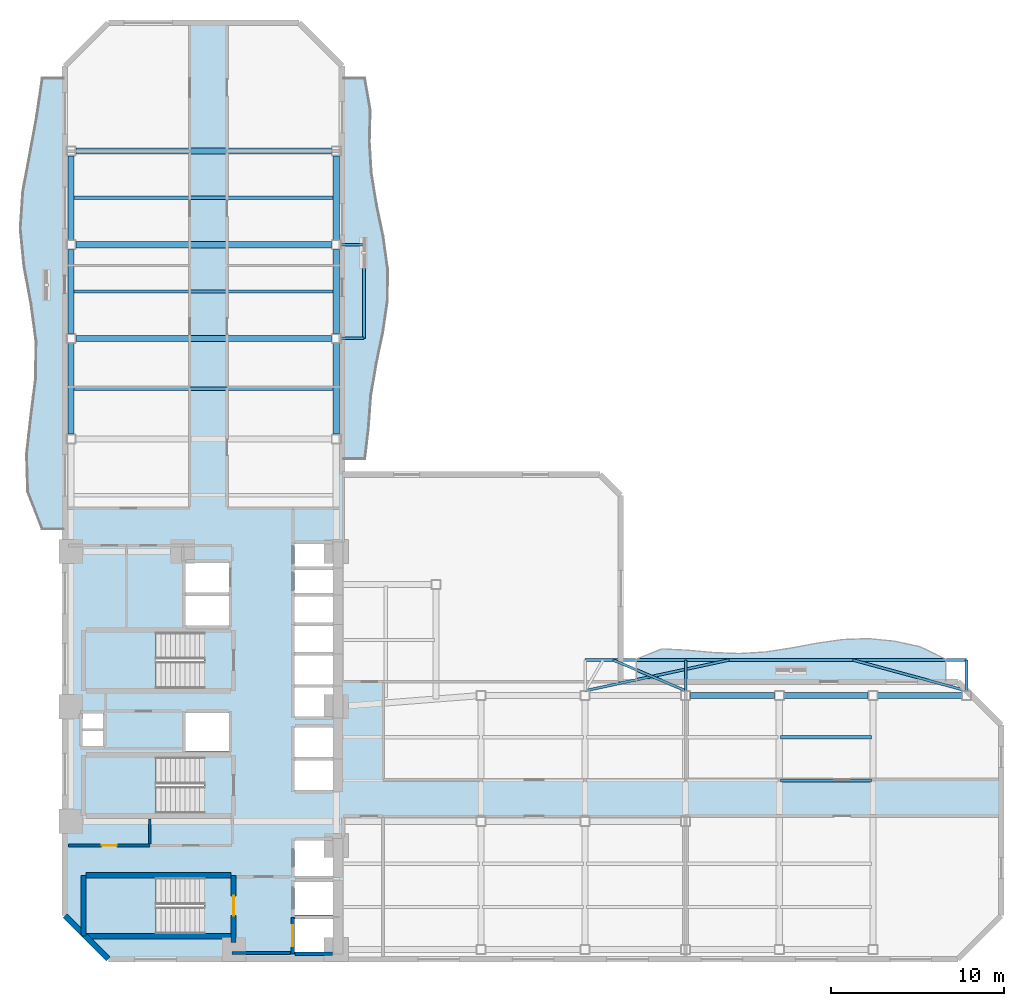
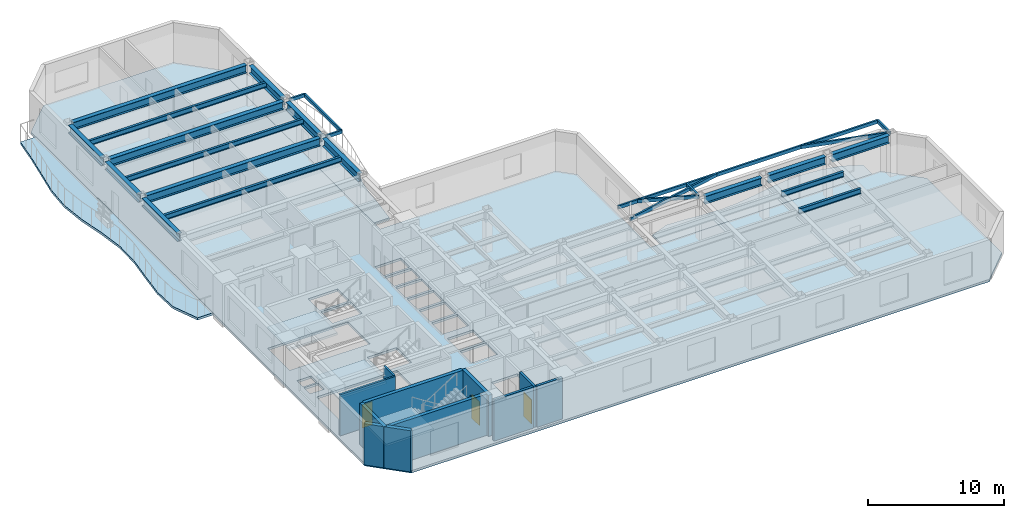
# One storey, part 2 of 10: 26 beams, 10 walls, 7 slabs, 3 doors, 3 openings, 3 elements without a shape of their own.
"""IFC4 building model written with IfcOpenShell, lengths in metres."""

from ifc_helpers import new_model, si_unit, direction, frame, frame_2d, origin, origin_2d, place, context, subcontext, project, spatial, polyline, rectangle, hollow_rectangle, i_section, outline, extrude, material, layer, layer_set, material_profile, profile_set, type_object, element, fill, aggregate, save


model = new_model("IFC4")

# Units and contexts
model_context = context("Model", 3, precision=1e-05, world=origin(), true_north=direction((0.0, 1.0)))
body_context = subcontext(model_context, "Body", "Model", "MODEL_VIEW")
ifc_project = project(units=[si_unit("LENGTHUNIT", "METRE"), si_unit("AREAUNIT", "SQUARE_METRE"), si_unit("VOLUMEUNIT", "CUBIC_METRE"), si_unit("PLANEANGLEUNIT", "RADIAN"), si_unit("MASSUNIT", "GRAM", prefix="KILO")], contexts=[model_context])

# Site, building, storey
site_placement = place(None, origin())
site = spatial("IfcSite", under=ifc_project, at=site_placement, CompositionType="ELEMENT")
building_placement = place(site_placement, origin())
building = spatial("IfcBuilding", under=site, at=building_placement, Name="Mawjaban Terraces University", CompositionType="ELEMENT")
storey_placement = place(building_placement, frame((0.0, 0.0, 46.60009765625)))
storey = spatial("IfcBuildingStorey", under=building, at=storey_placement, Name="L10", CompositionType="ELEMENT", Elevation=46.60009765625)

# Beams
ifc_material_1 = material(Name="Steel EN 10210-1 S355J2H", Category="steel")
ifc_material_profile_1 = material_profile(ifc_material_1, hollow_rectangle(XDim=0.14990234375, YDim=0.300048828125, WallThickness=0.012451171875, at=origin_2d()), Name="RHS300X150X12.5")
ifc_profile_set_1 = profile_set([ifc_material_profile_1], Name="Steel EN 10210-1 S355J2H")
beam_type_1 = type_object("IfcBeamType", Name="BalconyCantileverSpandrel_RHS", PredefinedType="SPANDREL", material=ifc_profile_set_1)
beam_1_placement = place(storey_placement, frame((74.0, 15.47509765625, 3.539794921875), z_axis=(0.0, 1.0, 0.0), x_axis=(-1.0, 0.0, 0.0)))
element("IfcBeam", 1, at=beam_1_placement, inside=storey, type_object=beam_type_1, Name="L10 Exterior Outrigger BAL-L11-N.2", PredefinedType="SPANDREL", context=body_context, shape_type="SweptSolid", body=[
    extrude(hollow_rectangle(XDim=0.14990234375, YDim=0.300048828125, WallThickness=0.012451171875, at=origin_2d()), origin(), (0.0, 0.0, 1.0), 1.77490234375),
])
beam_2_placement = place(storey_placement, frame((52.0, 17.25, 3.539794921875), z_axis=(1.0, 0.0, 0.0), x_axis=(0.0, 1.0, 0.0)))
element("IfcBeam", 2, at=beam_2_placement, inside=storey, type_object=beam_type_1, Name="L10 Exterior Edge Spandrel BAL-L11-N", PredefinedType="SPANDREL", context=body_context, shape_type="SweptSolid", body=[
    extrude(hollow_rectangle(XDim=0.14990234375, YDim=0.300048828125, WallThickness=0.012451171875, at=origin_2d()), origin(), (0.0, 0.0, 1.0), 22.0),
])
beam_3_placement = place(storey_placement, frame((52.0, 15.47509765625, 3.539794921875), z_axis=(0.977916279172, 0.208997011776, 0.0), x_axis=(-0.208997011776, 0.977916279172, 0.0)))
element("IfcBeam", 3, at=beam_3_placement, inside=storey, type_object=beam_type_1, Name="L10 Exterior Diagonal Strut BAL-L11-N.1", PredefinedType="SPANDREL", context=body_context, shape_type="SweptSolid", body=[
    extrude(hollow_rectangle(XDim=0.14990234375, YDim=0.300048828125, WallThickness=0.012451171875, at=origin_2d()), origin(), (0.0, 0.0, 1.0), 8.492431640625),
])
beam_4_placement = place(storey_placement, frame((74.0, 15.47509765625, 3.539794921875), z_axis=(-0.965240922253, 0.261361745494, 0.0), x_axis=(-0.261361745494, -0.965240922253, 0.0)))
element("IfcBeam", 4, at=beam_4_placement, inside=storey, type_object=beam_type_1, Name="L10 Exterior Diagonal Strut BAL-L11-N.2", PredefinedType="SPANDREL", context=body_context, shape_type="SweptSolid", body=[
    extrude(hollow_rectangle(XDim=0.14990234375, YDim=0.300048828125, WallThickness=0.012451171875, at=origin_2d()), origin(), (0.0, 0.0, 1.0), 6.791015625),
])
for number, where, z_axis, x_axis, name in (
    (5, (37.925048828125, 35.800048828125, 3.539794921875), (1.0, 0.0, 0.0), (0.0, 1.0, 0.0), "L10 Exterior Outrigger BAL-L11-E.1"),
    (6, (37.925048828125, 41.199951171875, 3.539794921875), (1.0, 0.0, 0.0), (0.0, 1.0, 0.0), "L10 Exterior Outrigger BAL-L11-E.2"),
):
    element("IfcBeam", number, at=place(storey_placement, frame(where, z_axis=z_axis, x_axis=x_axis)), inside=storey, type_object=beam_type_1, Name=name, PredefinedType="SPANDREL", context=body_context, shape_type="SweptSolid", body=[
        extrude(hollow_rectangle(XDim=0.14990234375, YDim=0.300048828125, WallThickness=0.012451171875, at=origin_2d()), origin(), (0.0, 0.0, 1.0), 1.324951171875),
    ])
beam_5_placement = place(storey_placement, frame((39.25, 35.800048828125, 3.539794921875), z_axis=(0.0, 1.0, 0.0), x_axis=(-1.0, 0.0, 0.0)))
element("IfcBeam", 7, at=beam_5_placement, inside=storey, type_object=beam_type_1, Name="L10 Exterior Edge Spandrel BAL-L11-E", PredefinedType="SPANDREL", context=body_context, shape_type="SweptSolid", body=[
    extrude(hollow_rectangle(XDim=0.14990234375, YDim=0.300048828125, WallThickness=0.012451171875, at=origin_2d()), origin(), (0.0, 0.0, 1.0), 5.39990234375),
])
beam_6_placement = place(storey_placement, frame((57.800048828125, 15.47509765625, 3.539794921875), z_axis=(0.0, 1.0, 0.0), x_axis=(-1.0, 0.0, 0.0)))
element("IfcBeam", 8, at=beam_6_placement, inside=storey, type_object=beam_type_1, Name="L10 Exterior Outrigger TER-L11-CLIMB.2", PredefinedType="SPANDREL", context=body_context, shape_type="SweptSolid", body=[
    extrude(hollow_rectangle(XDim=0.14990234375, YDim=0.300048828125, WallThickness=0.012451171875, at=origin_2d()), origin(), (0.0, 0.0, 1.0), 1.77490234375),
])
beam_7_placement = place(storey_placement, frame((57.800048828125, 15.47509765625, 3.539794921875), z_axis=(-0.920627415199, 0.390442265109, 0.0), x_axis=(-0.390442265109, -0.920627415199, 0.0)))
element("IfcBeam", 9, at=beam_7_placement, inside=storey, type_object=beam_type_1, Name="L10 Exterior Diagonal Strut TER-L11-CLIMB.2", PredefinedType="SPANDREL", context=body_context, shape_type="SweptSolid", body=[
    extrude(hollow_rectangle(XDim=0.14990234375, YDim=0.300048828125, WallThickness=0.012451171875, at=origin_2d()), origin(), (0.0, 0.0, 1.0), 4.5458984375),
])
ifc_material_2 = material(Name="Steel ASTM A572 Grade 50", Category="steel")
ifc_material_profile_2 = material_profile(ifc_material_2, i_section(OverallWidth=0.35498046875, OverallDepth=0.695068359375, WebThickness=0.015380859375, FlangeThickness=0.02490234375, at=origin_2d()), Name="W690X217")
ifc_profile_set_2 = profile_set([ifc_material_profile_2], Name="Steel ASTM A572 Grade 50")
beam_type_2 = type_object("IfcBeamType", Name="Beam_B_W690X217", PredefinedType="BEAM", material=ifc_profile_set_2)
beam_8_placement = place(storey_placement, frame((58.074951171875, 15.199951171875, 3.343017578125), z_axis=(1.0, 0.0, 0.0), x_axis=(0.0, 1.0, 0.0)))
element("IfcBeam", 10, at=beam_8_placement, inside=storey, type_object=beam_type_2, Name="L10 Beam BM-L10-EW-11", PredefinedType="BEAM", context=body_context, shape_type="SweptSolid", body=[
    extrude(i_section(OverallWidth=0.35498046875, OverallDepth=0.695068359375, WebThickness=0.015380859375, FlangeThickness=0.02490234375, at=origin_2d()), origin(), (0.0, 0.0, 1.0), 4.85009765625),
])
beam_9_placement = place(storey_placement, frame((63.47509765625, 15.199951171875, 3.343017578125), z_axis=(1.0, 0.0, 0.0), x_axis=(0.0, 1.0, 0.0)))
element("IfcBeam", 11, at=beam_9_placement, inside=storey, type_object=beam_type_2, Name="L10 Beam BM-L10-EW-12", PredefinedType="BEAM", context=body_context, shape_type="SweptSolid", body=[
    extrude(i_section(OverallWidth=0.35498046875, OverallDepth=0.695068359375, WebThickness=0.015380859375, FlangeThickness=0.02490234375, at=origin_2d()), origin(), (0.0, 0.0, 1.0), 4.849853515625),
])
beam_10_placement = place(storey_placement, frame((68.875, 15.199951171875, 3.343017578125), z_axis=(1.0, 0.0, 0.0), x_axis=(0.0, 1.0, 0.0)))
element("IfcBeam", 12, at=beam_10_placement, inside=storey, type_object=beam_type_2, Name="L10 Beam BM-L10-EW-13", PredefinedType="BEAM", context=body_context, shape_type="SweptSolid", body=[
    extrude(i_section(OverallWidth=0.35498046875, OverallDepth=0.695068359375, WebThickness=0.015380859375, FlangeThickness=0.02490234375, at=origin_2d()), origin(), (0.0, 0.0, 1.0), 4.85009765625),
])
for number, where, z_axis, x_axis, name in (
    (13, (22.625, 35.800048828125, 3.343017578125), (1.0, 0.0, 0.0), (0.0, 1.0, 0.0), "L10 Beam BM-L10-EW-16"),
    (14, (22.625, 41.199951171875, 3.343017578125), (1.0, 0.0, 0.0), (0.0, 1.0, 0.0), "L10 Beam BM-L10-EW-17"),
    (15, (22.625, 46.60009765625, 3.343017578125), (1.0, 0.0, 0.0), (0.0, 1.0, 0.0), "L10 Beam BM-L10-EW-18"),
):
    element("IfcBeam", number, at=place(storey_placement, frame(where, z_axis=z_axis, x_axis=x_axis)), inside=storey, type_object=beam_type_2, Name=name, PredefinedType="BEAM", context=body_context, shape_type="SweptSolid", body=[
        extrude(i_section(OverallWidth=0.35498046875, OverallDepth=0.695068359375, WebThickness=0.015380859375, FlangeThickness=0.02490234375, at=origin_2d()), origin(), (0.0, 0.0, 1.0), 14.75),
    ])
beam_11_placement = place(storey_placement, frame((22.35009765625, 30.27490234375, 3.343017578125), z_axis=(0.0, 1.0, 0.0), x_axis=(-1.0, 0.0, 0.0)))
element("IfcBeam", 16, at=beam_11_placement, inside=storey, type_object=beam_type_2, Name="L10 Beam BM-L10-NS-04", PredefinedType="BEAM", context=body_context, shape_type="SweptSolid", body=[
    extrude(i_section(OverallWidth=0.35498046875, OverallDepth=0.695068359375, WebThickness=0.015380859375, FlangeThickness=0.02490234375, at=origin_2d()), origin(), (0.0, 0.0, 1.0), 5.25),
])
beam_12_placement = place(storey_placement, frame((22.35009765625, 36.074951171875, 3.343017578125), z_axis=(0.0, 1.0, 0.0), x_axis=(-1.0, 0.0, 0.0)))
element("IfcBeam", 17, at=beam_12_placement, inside=storey, type_object=beam_type_2, Name="L10 Beam BM-L10-NS-05", PredefinedType="BEAM", context=body_context, shape_type="SweptSolid", body=[
    extrude(i_section(OverallWidth=0.35498046875, OverallDepth=0.695068359375, WebThickness=0.015380859375, FlangeThickness=0.02490234375, at=origin_2d()), origin(), (0.0, 0.0, 1.0), 4.85009765625),
])
beam_13_placement = place(storey_placement, frame((22.35009765625, 41.47509765625, 3.343017578125), z_axis=(0.0, 1.0, 0.0), x_axis=(-1.0, 0.0, 0.0)))
element("IfcBeam", 18, at=beam_13_placement, inside=storey, type_object=beam_type_2, Name="L10 Beam BM-L10-NS-06", PredefinedType="BEAM", context=body_context, shape_type="SweptSolid", body=[
    extrude(i_section(OverallWidth=0.35498046875, OverallDepth=0.695068359375, WebThickness=0.015380859375, FlangeThickness=0.02490234375, at=origin_2d()), origin(), (0.0, 0.0, 1.0), 4.849853515625),
])
beam_14_placement = place(storey_placement, frame((37.64990234375, 30.27490234375, 3.343017578125), z_axis=(0.0, 1.0, 0.0), x_axis=(-1.0, 0.0, 0.0)))
element("IfcBeam", 19, at=beam_14_placement, inside=storey, type_object=beam_type_2, Name="L10 Beam BM-L10-NS-11", PredefinedType="BEAM", context=body_context, shape_type="SweptSolid", body=[
    extrude(i_section(OverallWidth=0.35498046875, OverallDepth=0.695068359375, WebThickness=0.015380859375, FlangeThickness=0.02490234375, at=origin_2d()), origin(), (0.0, 0.0, 1.0), 5.25),
])
beam_15_placement = place(storey_placement, frame((37.64990234375, 36.074951171875, 3.343017578125), z_axis=(0.0, 1.0, 0.0), x_axis=(-1.0, 0.0, 0.0)))
element("IfcBeam", 20, at=beam_15_placement, inside=storey, type_object=beam_type_2, Name="L10 Beam BM-L10-NS-12", PredefinedType="BEAM", context=body_context, shape_type="SweptSolid", body=[
    extrude(i_section(OverallWidth=0.35498046875, OverallDepth=0.695068359375, WebThickness=0.015380859375, FlangeThickness=0.02490234375, at=origin_2d()), origin(), (0.0, 0.0, 1.0), 4.85009765625),
])
beam_16_placement = place(storey_placement, frame((37.64990234375, 41.47509765625, 3.343017578125), z_axis=(0.0, 1.0, 0.0), x_axis=(-1.0, 0.0, 0.0)))
element("IfcBeam", 21, at=beam_16_placement, inside=storey, type_object=beam_type_2, Name="L10 Beam BM-L10-NS-13", PredefinedType="BEAM", context=body_context, shape_type="SweptSolid", body=[
    extrude(i_section(OverallWidth=0.35498046875, OverallDepth=0.695068359375, WebThickness=0.015380859375, FlangeThickness=0.02490234375, at=origin_2d()), origin(), (0.0, 0.0, 1.0), 4.849853515625),
])
ifc_material_profile_3 = material_profile(ifc_material_2, i_section(OverallWidth=0.19189453125, OverallDepth=0.462890625, WebThickness=0.010498046875, FlangeThickness=0.017578125, at=origin_2d()), Name="W460X89")
ifc_profile_set_3 = profile_set([ifc_material_profile_3], Name="Steel ASTM A572 Grade 50")
beam_type_3 = type_object("IfcBeamType", Name="Beam_J_W460X89", PredefinedType="JOIST", material=ifc_profile_set_3)
for number, where, z_axis, x_axis, name in (
    (22, (63.280029296875, 10.300048828125, 3.458984375), (1.0, 0.0, 0.0), (0.0, 1.0, 0.0), "L10 Composite Joist JST-L10-15"),
    (23, (63.280029296875, 12.800048828125, 3.458984375), (1.0, 0.0, 0.0), (0.0, 1.0, 0.0), "L10 Composite Joist JST-L10-20"),
):
    element("IfcBeam", number, at=place(storey_placement, frame(where, z_axis=z_axis, x_axis=x_axis)), inside=storey, type_object=beam_type_3, Name=name, PredefinedType="JOIST", context=body_context, shape_type="SweptSolid", body=[
        extrude(i_section(OverallWidth=0.19189453125, OverallDepth=0.462890625, WebThickness=0.010498046875, FlangeThickness=0.017578125, at=origin_2d()), origin(), (0.0, 0.0, 1.0), 5.239990234375),
    ])
for number, where, z_axis, x_axis, name in (
    (24, (22.429931640625, 32.89990234375, 3.458984375), (1.0, 0.0, 0.0), (0.0, 1.0, 0.0), "L10 Composite Joist JST-L10-23"),
    (25, (22.429931640625, 38.5, 3.458984375), (1.0, 0.0, 0.0), (0.0, 1.0, 0.0), "L10 Composite Joist JST-L10-24"),
    (26, (22.429931640625, 43.89990234375, 3.458984375), (1.0, 0.0, 0.0), (0.0, 1.0, 0.0), "L10 Composite Joist JST-L10-25"),
):
    element("IfcBeam", number, at=place(storey_placement, frame(where, z_axis=z_axis, x_axis=x_axis)), inside=storey, type_object=beam_type_3, Name=name, PredefinedType="JOIST", context=body_context, shape_type="SweptSolid", body=[
        extrude(i_section(OverallWidth=0.19189453125, OverallDepth=0.462890625, WebThickness=0.010498046875, FlangeThickness=0.017578125, at=origin_2d()), origin(), (0.0, 0.0, 1.0), 15.14013671875),
    ])

# Slabs
ifc_material_3 = material(Name="Concrete C40/50", Category="concrete")
ifc_layer_1 = layer(ifc_material_3, 0.2099609375)
ifc_layer_set_1 = layer_set([ifc_layer_1], Name="Concrete C40/50")
slab_type_1 = type_object("IfcSlabType", Name="BalconySlab_210_Ext", PredefinedType="FLOOR", material=ifc_layer_set_1)
slab_1_placement = place(storey_placement, frame((0.0, 0.0, -0.210205078125)))
element("IfcSlab", 27, at=slab_1_placement, inside=storey, type_object=slab_type_1, Name="L10 Planted Balcony Slab west", PredefinedType="FLOOR", context=body_context, shape_type="SweptSolid", body=[
    extrude(outline(polyline([(22.010009765625, 24.800048828125), (22.010009765625, 50.800048828125), (20.699951171875, 50.800048828125), (20.382080078125, 48.633056640625), (19.986083984375, 46.467041015625), (19.580078125, 44.300048828125), (19.43310546875, 42.133056640625), (19.64501953125, 39.967041015625), (20.050048828125, 37.800048828125), (20.340087890625, 35.633056640625), (20.31494140625, 33.467041015625), (20.0400390625, 31.300048828125), (19.7958984375, 29.133056640625), (19.860107421875, 26.967041015625), (20.699951171875, 24.800048828125), (22.010009765625, 24.800048828125)])), origin(), (0.0, 0.0, 1.0), 0.210205078125),
])
slab_2_placement = place(storey_placement, frame((0.0, 0.0, -0.210205078125)))
element("IfcSlab", 28, at=slab_2_placement, inside=storey, type_object=slab_type_1, Name="L10 Planted Balcony Slab inner_north", PredefinedType="FLOOR", context=body_context, shape_type="SweptSolid", body=[
    extrude(outline(polyline([(54.949951171875, 15.989990234375), (72.800048828125, 15.989990234375), (72.800048828125, 17.300048828125), (71.31201171875, 18.014892578125), (69.824951171875, 18.3359375), (68.337890625, 18.48291015625), (66.85009765625, 18.428955078125), (65.362060546875, 18.214111328125), (63.875, 17.93603515625), (62.387939453125, 17.7109375), (60.89990234375, 17.62109375), (59.4130859375, 17.677978515625), (57.925048828125, 17.81396484375), (56.43798828125, 17.888916015625), (54.949951171875, 17.300048828125), (54.949951171875, 15.989990234375)])), origin(), (0.0, 0.0, 1.0), 0.210205078125),
])
slab_3_placement = place(storey_placement, frame((0.0, 0.0, -0.210205078125)))
element("IfcSlab", 29, at=slab_3_placement, inside=storey, type_object=slab_type_1, Name="L10 Planted Balcony Slab inner_east", PredefinedType="FLOOR", context=body_context, shape_type="SweptSolid", body=[
    extrude(outline(polyline([(39.300048828125, 28.846923828125), (39.510986328125, 30.676025390625), (39.64599609375, 32.506103515625), (39.9580078125, 34.3349609375), (40.340087890625, 36.1650390625), (40.60595703125, 37.993896484375), (40.613037109375, 39.822998046875), (40.360107421875, 41.653076171875), (39.98291015625, 43.48193359375), (39.677978515625, 45.31201171875), (39.56689453125, 47.14111328125), (39.614013671875, 48.970947265625), (39.300048828125, 50.800048828125), (37.989990234375, 50.800048828125), (37.989990234375, 28.846923828125), (39.300048828125, 28.846923828125)])), origin(), (0.0, 0.0, 1.0), 0.210205078125),
])
ifc_layer_2 = layer(ifc_material_3, 0.2099609375)
ifc_layer_set_2 = layer_set([ifc_layer_2], Name="Concrete C40/50")
slab_type_2 = type_object("IfcSlabType", Name="CompositeSlab_210", PredefinedType="FLOOR", material=ifc_layer_set_2)
slab_4_placement = place(storey_placement, frame((0.0, 0.0, -0.210205078125)))
element("IfcSlab", 30, at=slab_4_placement, inside=storey, type_object=slab_type_2, Name="L10 Primary Structural Slab", PredefinedType="FLOOR", context=body_context, shape_type="SweptSolid", body=[
    extrude(outline(polyline([(24.5, 0.0), (73.5, 0.0), (76.0, 2.5), (76.0, 13.5), (73.5, 16.0), (54.050048828125, 16.0), (54.050048828125, 26.7470703125), (52.85009765625, 27.947021484375), (38.0, 27.947021484375), (38.0, 51.5), (35.5, 54.0), (24.5, 54.0), (22.0, 51.5), (22.0, 2.5), (24.5, 0.0)]), holes=[polyline([(30.014892578125, 4.699951171875), (23.199951171875, 4.699951171875), (23.199951171875, 1.449951171875), (30.014892578125, 1.449951171875), (30.014892578125, 4.699951171875)]), polyline([(30.014892578125, 18.85009765625), (23.199951171875, 18.85009765625), (23.199951171875, 15.60009765625), (30.014892578125, 15.60009765625), (30.014892578125, 18.85009765625)]), polyline([(30.014892578125, 11.64990234375), (23.199951171875, 11.64990234375), (23.199951171875, 8.39990234375), (30.014892578125, 8.39990234375), (30.014892578125, 11.64990234375)]), polyline([(35.25, 0.39990234375), (37.449951171875, 0.39990234375), (37.449951171875, 2.300048828125), (35.25, 2.300048828125), (35.25, 0.39990234375)]), polyline([(35.25, 2.550048828125), (37.449951171875, 2.550048828125), (37.449951171875, 4.449951171875), (35.25, 4.449951171875), (35.25, 2.550048828125)]), polyline([(35.25, 4.800048828125), (37.449951171875, 4.800048828125), (37.449951171875, 6.85009765625), (35.25, 6.85009765625), (35.25, 4.800048828125)]), polyline([(35.25, 9.75), (37.449951171875, 9.75), (37.449951171875, 11.449951171875), (35.25, 11.449951171875), (35.25, 9.75)]), polyline([(35.25, 11.64990234375), (37.449951171875, 11.64990234375), (37.449951171875, 13.35009765625), (35.25, 13.35009765625), (35.25, 11.64990234375)]), polyline([(28.949951171875, 12.0), (31.449951171875, 12.0), (31.449951171875, 14.199951171875), (28.949951171875, 14.199951171875), (28.949951171875, 12.0)]), polyline([(35.25, 14.0), (37.449951171875, 14.0), (37.449951171875, 15.64990234375), (35.25, 15.64990234375), (35.25, 14.0)]), polyline([(35.25, 15.85009765625), (37.449951171875, 15.85009765625), (37.449951171875, 17.5), (35.25, 17.5), (35.25, 15.85009765625)]), polyline([(35.25, 17.699951171875), (37.449951171875, 17.699951171875), (37.449951171875, 19.199951171875), (35.25, 19.199951171875), (35.25, 17.699951171875)]), polyline([(35.25, 19.39990234375), (37.449951171875, 19.39990234375), (37.449951171875, 20.89990234375), (35.25, 20.89990234375), (35.25, 19.39990234375)]), polyline([(28.949951171875, 19.25), (31.449951171875, 19.25), (31.449951171875, 20.949951171875), (28.949951171875, 20.949951171875), (28.949951171875, 19.25)]), polyline([(35.25, 21.10009765625), (37.449951171875, 21.10009765625), (37.449951171875, 22.449951171875), (35.25, 22.449951171875), (35.25, 21.10009765625)]), polyline([(35.25, 22.64990234375), (37.449951171875, 22.64990234375), (37.449951171875, 23.949951171875), (35.25, 23.949951171875), (35.25, 22.64990234375)]), polyline([(28.949951171875, 21.14990234375), (31.449951171875, 21.14990234375), (31.449951171875, 22.85009765625), (28.949951171875, 22.85009765625), (28.949951171875, 21.14990234375)]), polyline([(23.0, 12.25), (24.199951171875, 12.25), (24.199951171875, 13.14990234375), (23.0, 13.14990234375), (23.0, 12.25)]), polyline([(23.0, 13.300048828125), (24.199951171875, 13.300048828125), (24.199951171875, 14.179931640625), (23.0, 14.179931640625), (23.0, 13.300048828125)])]), origin(), (0.0, 0.0, 1.0), 0.210205078125),
])

# Stair, slab
stair_type = type_object("IfcStairType", Name="Stair_Core1550_H39", PredefinedType="HALF_TURN_STAIR", material=ifc_material_3)
stair_1_placement = place(storey_placement, origin())
stair_1 = element("IfcStair", 31, at=stair_1_placement, inside=storey, type_object=stair_type, Name="L10 Core Exit Stair 1", PredefinedType="HALF_TURN_STAIR")
ifc_layer_3 = layer(ifc_material_3, 0.199951171875)
ifc_layer_set_3 = layer_set([ifc_layer_3], Name="Concrete C40/50")
slab_type_3 = type_object("IfcSlabType", Name="StairLandingSlab_200", PredefinedType="LANDING", material=ifc_layer_set_3)
slab_5_placement = place(storey_placement, frame((0.0, 0.0, 1.75)))
slab_5 = element("IfcSlab", 32, at=slab_5_placement, type_object=slab_type_3, Name="ST-1 landing 1", PredefinedType="LANDING", context=body_context, shape_type="SweptSolid", body=[
    extrude(outline(polyline([(27.25, 4.699951171875), (23.199951171875, 4.699951171875), (23.199951171875, 1.449951171875), (27.25, 1.449951171875), (27.25, 4.699951171875)])), origin(), (0.0, 0.0, 1.0), 0.199951171875),
])
aggregate(stair_1, [slab_5])

stair_2_placement = place(storey_placement, origin())
stair_2 = element("IfcStair", 33, at=stair_2_placement, inside=storey, type_object=stair_type, Name="L10 Core Exit Stair 2", PredefinedType="HALF_TURN_STAIR")
slab_6_placement = place(storey_placement, frame((0.0, 0.0, 1.75)))
slab_6 = element("IfcSlab", 34, at=slab_6_placement, type_object=slab_type_3, Name="ST-2 landing 1", PredefinedType="LANDING", context=body_context, shape_type="SweptSolid", body=[
    extrude(outline(polyline([(27.25, 18.85009765625), (23.199951171875, 18.85009765625), (23.199951171875, 15.60009765625), (27.25, 15.60009765625), (27.25, 18.85009765625)])), origin(), (0.0, 0.0, 1.0), 0.199951171875),
])
aggregate(stair_2, [slab_6])

stair_3_placement = place(storey_placement, origin())
stair_3 = element("IfcStair", 35, at=stair_3_placement, inside=storey, type_object=stair_type, Name="L10 Core Exit Stair 3", PredefinedType="HALF_TURN_STAIR")
slab_7_placement = place(storey_placement, frame((0.0, 0.0, 1.75)))
slab_7 = element("IfcSlab", 36, at=slab_7_placement, type_object=slab_type_3, Name="ST-3 landing 1", PredefinedType="LANDING", context=body_context, shape_type="SweptSolid", body=[
    extrude(outline(polyline([(27.25, 11.64990234375), (23.199951171875, 11.64990234375), (23.199951171875, 8.39990234375), (27.25, 8.39990234375), (27.25, 11.64990234375)])), origin(), (0.0, 0.0, 1.0), 0.199951171875),
])
aggregate(stair_3, [slab_7])

# Wall, opening, door
ifc_material_4 = material(Name="Fire-rated gypsum board on steel stud", Category="steel")
ifc_layer_4 = layer(ifc_material_4, 0.159912109375)
ifc_layer_set_4 = layer_set([ifc_layer_4], Name="Fire-rated gypsum board on steel stud")
wall_type_1 = type_object("IfcWallType", Name="CorridorPartition_160", PredefinedType="PARTITIONING", material=ifc_layer_set_4)
wall_1_placement = place(storey_placement, frame((26.89990234375, 6.550048828125, 0.0), z_axis=(0.0, 0.0, 1.0), x_axis=(-1.0, 0.0, 0.0)))
wall_1 = element("IfcWall", 37, at=wall_1_placement, inside=storey, type_object=wall_type_1, Name="L10 Core Washroom Lobby Partition 4", PredefinedType="PARTITIONING", context=body_context, shape_type="SweptSolid", body=[
    extrude(rectangle(XDim=4.699951171875, YDim=0.159912109375, at=frame_2d((2.35009765625, 0.0))), origin(), (0.0, 0.0, 1.0), 3.68994140625),
])
opening_1_placement = place(wall_1_placement, frame((1.909912109375, 0.0, 0.0)))
opening_1 = element("IfcOpeningElement", 38, at=opening_1_placement, cuts=wall_1, Name="Opening ID-088", PredefinedType="OPENING", context=body_context, shape_type="SweptSolid", body=[
    extrude(rectangle(XDim=0.8798828125, YDim=2.10009765625, at=frame_2d((0.43994140625, 1.050048828125))), frame((0.0, 0.08984375, 0.0), z_axis=(0.0, -1.0, 0.0), x_axis=(1.0, 0.0, 0.0)), (0.0, 0.0, 1.0), 0.179931640625),
])
ifc_material_5 = material(Name="Powder-coated steel frame and solid acoustic timber leaf", Category="steel")
door_type_1 = type_object("IfcDoorType", Name="ToiletDoor_880x2100", OperationType="NOTDEFINED", PredefinedType="DOOR", material=ifc_material_5)
door_1_placement = place(opening_1_placement, origin())
door_1 = element("IfcDoor", 39, at=door_1_placement, inside=storey, type_object=door_type_1, Name="L10 Male Toilet Door", OperationType="SINGLE_SWING_LEFT", OverallHeight=2.10009765625, OverallWidth=0.8798828125, PredefinedType="DOOR", context=body_context, shape_type="SweptSolid", body=[
    extrude(rectangle(XDim=0.8798828125, YDim=2.10009765625, at=frame_2d((0.43994140625, 1.050048828125))), frame((0.0, 0.02490234375, 0.0), z_axis=(0.0, -1.0, 0.0), x_axis=(1.0, 0.0, 0.0)), (0.0, 0.0, 1.0), 0.050048828125),
])
fill(opening_1, door_1)

# Wall
ifc_material_6 = material(Name="Insulated terracotta rainscreen on concrete backup C40/50", Category="masonry")
ifc_layer_5 = layer(ifc_material_6, 0.320068359375)
ifc_layer_set_5 = layer_set([ifc_layer_5], Name="Insulated terracotta rainscreen on concrete backup C40/50")
wall_type_2 = type_object("IfcWallType", Name="ExtTerracottaWall_320", PredefinedType="SOLIDWALL", material=ifc_layer_set_5)
wall_2_placement = place(storey_placement, frame((22.0, 2.5, 0.0), z_axis=(0.0, 0.0, 1.0), x_axis=(0.707106781187, -0.707106781187, 0.0)))
element("IfcWall", 40, at=wall_2_placement, inside=storey, type_object=wall_type_2, Name="L10 Exterior Terracotta Wall 14", PredefinedType="SOLIDWALL", context=body_context, shape_type="SweptSolid", body=[
    extrude(rectangle(XDim=3.53564453125, YDim=0.320068359375, at=frame_2d((1.767822265625, 0.0))), origin(), (0.0, 0.0, 1.0), 3.68994140625),
])

# Wall, opening, door
ifc_layer_6 = layer(ifc_material_3, 0.199951171875)
ifc_layer_set_6 = layer_set([ifc_layer_6], Name="Concrete C40/50")
wall_type_3 = type_object("IfcWallType", Name="FireLobbyWall_200", PredefinedType="SOLIDWALL", material=ifc_layer_set_6)
wall_3_placement = place(storey_placement, frame((35.14990234375, 2.39990234375, 0.0), z_axis=(0.0, 0.0, 1.0), x_axis=(0.0, -1.0, 0.0)))
wall_3 = element("IfcWall", 41, at=wall_3_placement, inside=storey, type_object=wall_type_3, Name="L10 Lift FL-1 Hoistway Wall West", PredefinedType="SOLIDWALL", context=body_context, shape_type="SweptSolid", body=[
    extrude(rectangle(XDim=2.099853515625, YDim=0.199951171875, at=frame_2d((1.0498046875, 0.0))), origin(), (0.0, 0.0, 1.0), 3.68994140625),
])
opening_2_placement = place(wall_3_placement, frame((0.449951171875, 0.0, 0.0)))
opening_2 = element("IfcOpeningElement", 42, at=opening_2_placement, cuts=wall_3, Name="Opening LD-FL-1", PredefinedType="OPENING", context=body_context, shape_type="SweptSolid", body=[
    extrude(rectangle(XDim=1.199951171875, YDim=2.14990234375, at=frame_2d((0.60009765625, 1.074951171875))), frame((0.0, 0.10986328125, 0.0), z_axis=(0.0, -1.0, 0.0), x_axis=(1.0, 0.0, 0.0)), (0.0, 0.0, 1.0), 0.219970703125),
])
ifc_material_7 = material(Name="Powder-coated steel frame and fire-rated steel-faced leaf", Category="steel")
door_type_2 = type_object("IfcDoorType", Name="LiftLandingFSAE_1200x2150", OperationType="NOTDEFINED", PredefinedType="DOOR", material=ifc_material_7)
door_2_placement = place(opening_2_placement, origin())
door_2 = element("IfcDoor", 43, at=door_2_placement, inside=storey, type_object=door_type_2, Name="L10 Lift FL-1 Sliding Landing Door", OperationType="DOUBLE_DOOR_SLIDING", OverallHeight=2.14990234375, OverallWidth=1.199951171875, PredefinedType="DOOR", context=body_context, shape_type="SweptSolid", body=[
    extrude(rectangle(XDim=1.199951171875, YDim=2.14990234375, at=frame_2d((0.60009765625, 1.074951171875))), frame((0.0, 0.02490234375, 0.0), z_axis=(0.0, -1.0, 0.0), x_axis=(1.0, 0.0, 0.0)), (0.0, 0.0, 1.0), 0.050048828125),
])
fill(opening_2, door_2)

# Walls
wall_4_placement = place(storey_placement, frame((35.280029296875, 0.300048828125, 0.0), z_axis=(0.0, 0.0, 1.0), x_axis=(1.0, 0.0, 0.0)))
element("IfcWall", 44, at=wall_4_placement, inside=storey, type_object=wall_type_3, Name="L10 Lift FL-1 Hoistway Wall South", PredefinedType="SOLIDWALL", context=body_context, shape_type="SweptSolid", body=[
    extrude(rectangle(XDim=2.139892578125, YDim=0.199951171875, at=frame_2d((1.06982421875, 0.0))), origin(), (0.0, 0.0, 1.0), 3.68994140625),
])
wall_5_placement = place(storey_placement, frame((31.64990234375, 0.35009765625, 0.0), z_axis=(0.0, 0.0, 1.0), x_axis=(1.0, 0.0, 0.0)))
element("IfcWall", 45, at=wall_5_placement, inside=storey, type_object=wall_type_3, Name="L10 Firefighting Lift Lobby Partition 11", PredefinedType="SOLIDWALL", context=body_context, shape_type="SweptSolid", body=[
    extrude(rectangle(XDim=3.3701171875, YDim=0.199951171875, at=frame_2d((1.68505859375, 0.0))), origin(), (0.0, 0.0, 1.0), 3.68994140625),
])
ifc_material_8 = material(Name="Concrete C60/75", Category="concrete")
ifc_layer_7 = layer(ifc_material_8, 0.300048828125)
ifc_layer_set_7 = layer_set([ifc_layer_7], Name="Concrete C60/75")
wall_type_4 = type_object("IfcWallType", Name="StairShaftWall_300", PredefinedType="SHEAR", material=ifc_layer_set_7)
wall_6_placement = place(storey_placement, frame((31.580078125, 4.830078125, 0.0), z_axis=(0.0, 0.0, 1.0), x_axis=(-1.0, 0.0, 0.0)))
element("IfcWall", 46, at=wall_6_placement, inside=storey, type_object=wall_type_4, Name="L10 ST-1 Stair Shaft Wall 1", PredefinedType="SHEAR", context=body_context, shape_type="SweptSolid", body=[
    extrude(rectangle(XDim=8.360107421875, YDim=0.300048828125, at=frame_2d((4.18017578125, 0.0))), origin(), (0.0, 0.0, 1.0), 3.68994140625),
])
wall_7_placement = place(storey_placement, frame((23.070068359375, 4.830078125, 0.0), z_axis=(0.0, 0.0, 1.0), x_axis=(0.0, -1.0, 0.0)))
element("IfcWall", 47, at=wall_7_placement, inside=storey, type_object=wall_type_4, Name="L10 ST-1 Stair Shaft Wall 2", PredefinedType="SHEAR", context=body_context, shape_type="SweptSolid", body=[
    extrude(rectangle(XDim=3.510009765625, YDim=0.300048828125, at=frame_2d((1.7548828125, 0.0))), origin(), (0.0, 0.0, 1.0), 3.68994140625),
])
wall_8_placement = place(storey_placement, frame((23.219970703125, 1.320068359375, 0.0), z_axis=(0.0, 0.0, 1.0), x_axis=(1.0, 0.0, 0.0)))
element("IfcWall", 48, at=wall_8_placement, inside=storey, type_object=wall_type_4, Name="L10 ST-1 Stair Shaft Wall 3", PredefinedType="SHEAR", context=body_context, shape_type="SweptSolid", body=[
    extrude(rectangle(XDim=8.360107421875, YDim=0.300048828125, at=frame_2d((4.18017578125, 0.0))), origin(), (0.0, 0.0, 1.0), 3.68994140625),
])

# Wall, opening, door
wall_9_placement = place(storey_placement, frame((31.72998046875, 0.9599609375, 0.0), z_axis=(0.0, 0.0, 1.0), x_axis=(0.0, 1.0, 0.0)))
wall_9 = element("IfcWall", 49, at=wall_9_placement, inside=storey, type_object=wall_type_4, Name="L10 ST-1 Stair Shaft Wall 4", PredefinedType="SHEAR", context=body_context, shape_type="SweptSolid", body=[
    extrude(rectangle(XDim=3.8701171875, YDim=0.300048828125, at=frame_2d((1.93505859375, 0.0))), origin(), (0.0, 0.0, 1.0), 3.68994140625),
])
opening_3_placement = place(wall_9_placement, frame((1.5400390625, 0.0, 0.0)))
opening_3 = element("IfcOpeningElement", 50, at=opening_3_placement, cuts=wall_9, Name="Opening FD-115", PredefinedType="OPENING", context=body_context, shape_type="SweptSolid", body=[
    extrude(rectangle(XDim=1.14990234375, YDim=2.14990234375, at=frame_2d((0.574951171875, 1.074951171875))), frame((0.0, 0.159912109375, 0.0), z_axis=(0.0, -1.0, 0.0), x_axis=(1.0, 0.0, 0.0)), (0.0, 0.0, 1.0), 0.320068359375),
])
door_type_3 = type_object("IfcDoorType", Name="FireStairDoor_1150x2150", OperationType="NOTDEFINED", PredefinedType="DOOR", material=ifc_material_7)
door_3_placement = place(opening_3_placement, origin())
door_3 = element("IfcDoor", 51, at=door_3_placement, inside=storey, type_object=door_type_3, Name="L10 ST-1 Pressurised Stair Fire Door", OperationType="SINGLE_SWING_LEFT", OverallHeight=2.14990234375, OverallWidth=1.14990234375, PredefinedType="DOOR", context=body_context, shape_type="SweptSolid", body=[
    extrude(rectangle(XDim=1.14990234375, YDim=2.14990234375, at=frame_2d((0.574951171875, 1.074951171875))), frame((0.0, 0.02490234375, 0.0), z_axis=(0.0, -1.0, 0.0), x_axis=(1.0, 0.0, 0.0)), (0.0, 0.0, 1.0), 0.050048828125),
])
fill(opening_3, door_3)

# Wall
ifc_material_9 = material(Name="Cement-board wet-room partition", Category="masonry")
ifc_layer_8 = layer(ifc_material_9, 0.135009765625)
ifc_layer_set_8 = layer_set([ifc_layer_8], Name="Cement-board wet-room partition")
wall_type_5 = type_object("IfcWallType", Name="WetRoomPartition_135", PredefinedType="PARTITIONING", material=ifc_layer_set_8)
wall_10_placement = place(storey_placement, frame((26.89990234375, 6.625, 0.0), z_axis=(0.0, 0.0, 1.0), x_axis=(0.0, 1.0, 0.0)))
element("IfcWall", 52, at=wall_10_placement, inside=storey, type_object=wall_type_5, Name="L10 Male Toilet Partition 28", PredefinedType="PARTITIONING", context=body_context, shape_type="SweptSolid", body=[
    extrude(rectangle(XDim=1.465087890625, YDim=0.135009765625, at=frame_2d((0.732421875, 0.0))), origin(), (0.0, 0.0, 1.0), 3.68994140625),
])

save(model, "model.ifc")
